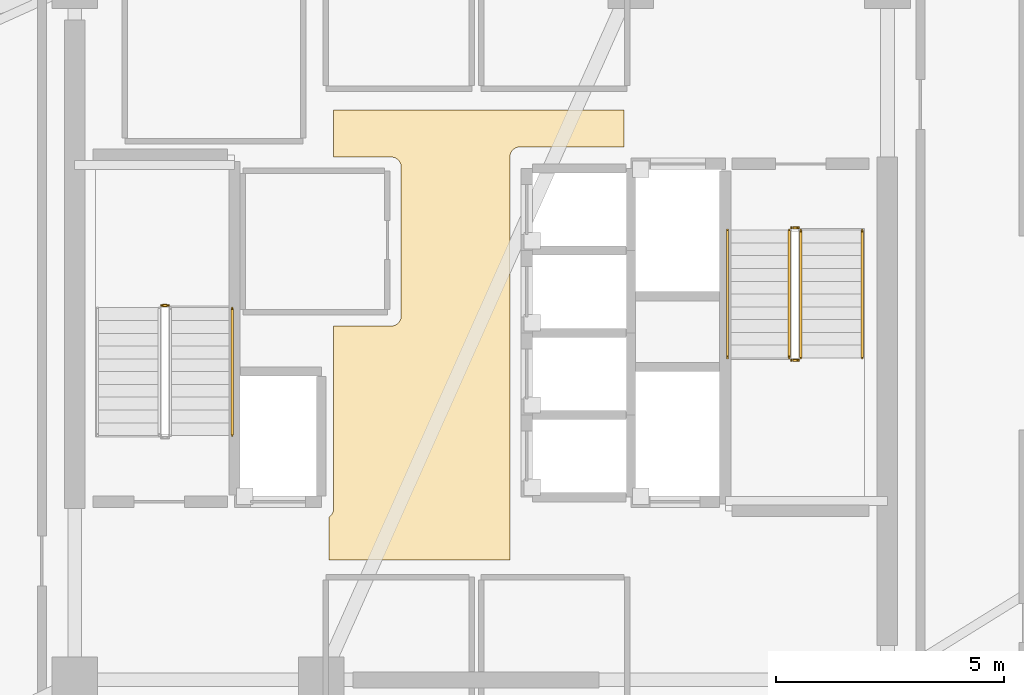
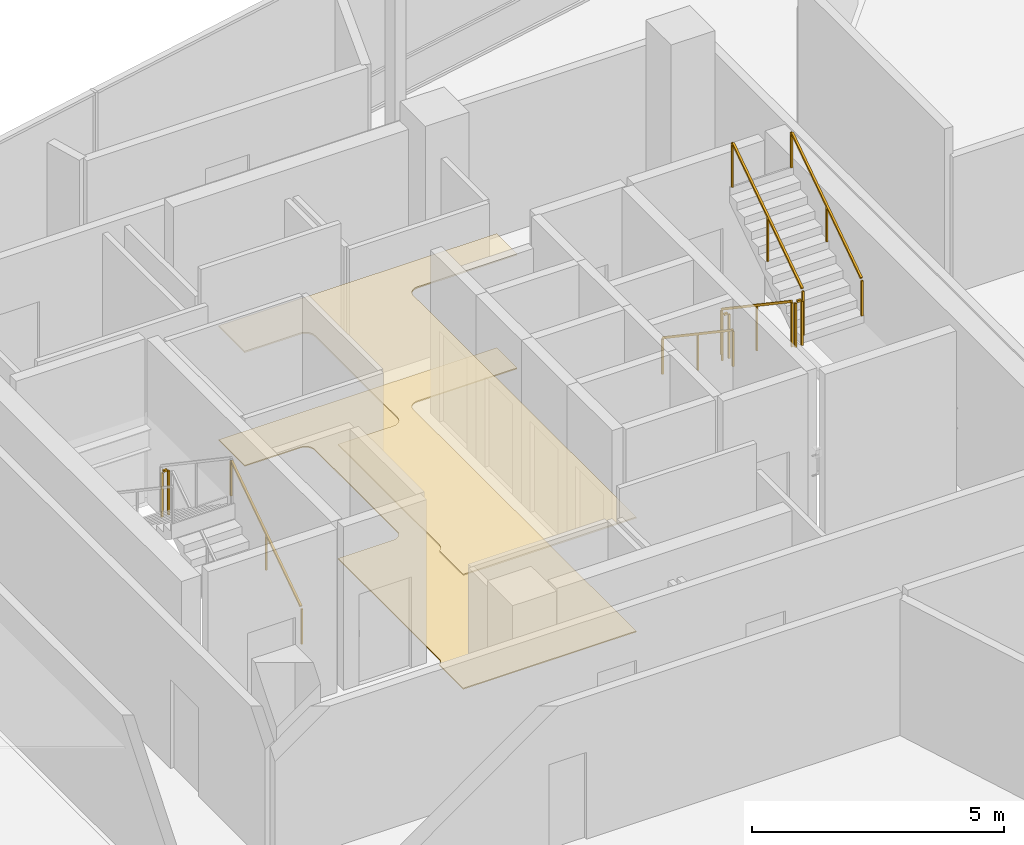
# One storey, part 15 of 16: 8 railings, 2 coverings.
"""IFC4 building model written with IfcOpenShell, lengths in metres."""

from ifc_helpers import new_model, si_unit, direction, frame, origin, origin_2d, place, context, subcontext, project, spatial, polyline, rectangle, outline, extrude, material, layer, layer_set, type_object, element, save


model = new_model("IFC4")

# Units and contexts
model_context = context("Model", 3, precision=1e-05, world=origin(), true_north=direction((0.0, 1.0)))
body_context = subcontext(model_context, "Body", "Model", "MODEL_VIEW")
ifc_project = project(units=[si_unit("LENGTHUNIT", "METRE"), si_unit("AREAUNIT", "SQUARE_METRE"), si_unit("VOLUMEUNIT", "CUBIC_METRE"), si_unit("PLANEANGLEUNIT", "RADIAN"), si_unit("MASSUNIT", "GRAM", prefix="KILO")], contexts=[model_context])

# Site, building, storey
site_placement = place(None, origin())
site = spatial("IfcSite", under=ifc_project, at=site_placement, CompositionType="ELEMENT")
building_placement = place(site_placement, origin())
building = spatial("IfcBuilding", under=site, at=building_placement, Name="Tharavind Bronze Gate", CompositionType="ELEMENT")
storey_placement = place(building_placement, frame((0.0, 0.0, 302.14990234375)))
storey = spatial("IfcBuildingStorey", under=building, at=storey_placement, Name="L78", CompositionType="ELEMENT", Elevation=302.14990234375)

# Coverings
ifc_material_1 = material(Name="Perforated Bronze Acoustic Panel", Category="bronze")
ifc_layer_1 = layer(ifc_material_1, 0.044921875)
ifc_layer_set_1 = layer_set([ifc_layer_1], Name="Perforated Bronze Acoustic Panel")
covering_type_1 = type_object("IfcCoveringType", Name="ACOUSTIC BRONZE BAFFLE CEILING", PredefinedType="CEILING", material=ifc_layer_set_1)
covering_1_placement = place(storey_placement, frame((0.0, 0.0, 2.75)))
element("IfcCovering", 1, at=covering_1_placement, inside=storey, type_object=covering_type_1, Name="L78-C-LL suspended ceiling", PredefinedType="CEILING", context=body_context, shape_type="SweptSolid", body=[
    extrude(outline(polyline([(-3.330078125, -4.97998046875), (0.6298828125, -4.97998046875), (0.6298828125, 3.85009765625), (0.631103515625, 3.87158203125), (0.63427734375, 3.892822265625), (0.639404296875, 3.913818359375), (0.646728515625, 3.93408203125), (0.656005859375, 3.95361328125), (0.6669921875, 3.97216796875), (0.679931640625, 3.989501953125), (0.6943359375, 4.005615234375), (0.71044921875, 4.02001953125), (0.727783203125, 4.032958984375), (0.746337890625, 4.0439453125), (0.765869140625, 4.05322265625), (0.7861328125, 4.060546875), (0.80712890625, 4.06591796875), (0.828369140625, 4.06884765625), (0.85009765625, 4.070068359375), (3.1298828125, 4.070068359375), (3.1298828125, 4.8798828125), (-3.22998046875, 4.8798828125), (-3.22998046875, 3.85009765625), (-1.969970703125, 3.85009765625), (-1.948486328125, 3.848876953125), (-1.927001953125, 3.845703125), (-1.906005859375, 3.840576171875), (-1.8857421875, 3.833251953125), (-1.8662109375, 3.823974609375), (-1.847900390625, 3.81298828125), (-1.830322265625, 3.800048828125), (-1.814453125, 3.78564453125), (-1.7998046875, 3.76953125), (-1.787109375, 3.752197265625), (-1.77587890625, 3.733642578125), (-1.7666015625, 3.714111328125), (-1.759521484375, 3.69384765625), (-1.754150390625, 3.6728515625), (-1.751220703125, 3.651611328125), (-1.75, 3.6298828125), (-1.75, 0.3701171875), (-1.751220703125, 0.348388671875), (-1.754150390625, 0.3271484375), (-1.759521484375, 0.30615234375), (-1.7666015625, 0.285888671875), (-1.77587890625, 0.266357421875), (-1.787109375, 0.247802734375), (-1.7998046875, 0.23046875), (-1.814453125, 0.21435546875), (-1.830322265625, 0.199951171875), (-1.847900390625, 0.18701171875), (-1.8662109375, 0.176025390625), (-1.8857421875, 0.166748046875), (-1.906005859375, 0.159423828125), (-1.927001953125, 0.154296875), (-1.948486328125, 0.151123046875), (-1.969970703125, 0.14990234375), (-3.22998046875, 0.14990234375), (-3.22998046875, -3.85009765625), (-3.231201171875, -3.87158203125), (-3.234130859375, -3.892822265625), (-3.239501953125, -3.913818359375), (-3.24658203125, -3.93408203125), (-3.256103515625, -3.95361328125), (-3.26708984375, -3.97216796875), (-3.27978515625, -3.989501953125), (-3.29443359375, -4.005615234375), (-3.310302734375, -4.02001953125), (-3.327880859375, -4.032958984375), (-3.330078125, -4.0341796875), (-3.330078125, -4.97998046875)])), origin(), (0.0, 0.0, 1.0), 0.03515625),
])
ifc_material_2 = material(Name="Honed Travertine Limestone", Category="masonry")
ifc_layer_2 = layer(ifc_material_2, 0.030029296875)
ifc_layer_set_2 = layer_set([ifc_layer_2], Name="Honed Travertine Limestone")
covering_type_2 = type_object("IfcCoveringType", Name="HONED LIMESTONE FLOORING", PredefinedType="FLOORING", material=ifc_layer_set_2)
covering_2_placement = place(storey_placement, origin())
element("IfcCovering", 2, at=covering_2_placement, inside=storey, type_object=covering_type_2, Name="L78-C-LL floor finish", PredefinedType="FLOORING", context=body_context, shape_type="SweptSolid", body=[
    extrude(outline(polyline([(-3.330078125, -4.97998046875), (0.6298828125, -4.97998046875), (0.6298828125, 3.85009765625), (0.631103515625, 3.87158203125), (0.63427734375, 3.892822265625), (0.639404296875, 3.913818359375), (0.646728515625, 3.93408203125), (0.656005859375, 3.95361328125), (0.6669921875, 3.97216796875), (0.679931640625, 3.989501953125), (0.6943359375, 4.005615234375), (0.71044921875, 4.02001953125), (0.727783203125, 4.032958984375), (0.746337890625, 4.0439453125), (0.765869140625, 4.05322265625), (0.7861328125, 4.060546875), (0.80712890625, 4.06591796875), (0.828369140625, 4.06884765625), (0.85009765625, 4.070068359375), (3.1298828125, 4.070068359375), (3.1298828125, 4.8798828125), (-3.22998046875, 4.8798828125), (-3.22998046875, 3.85009765625), (-1.969970703125, 3.85009765625), (-1.948486328125, 3.848876953125), (-1.927001953125, 3.845703125), (-1.906005859375, 3.840576171875), (-1.8857421875, 3.833251953125), (-1.8662109375, 3.823974609375), (-1.847900390625, 3.81298828125), (-1.830322265625, 3.800048828125), (-1.814453125, 3.78564453125), (-1.7998046875, 3.76953125), (-1.787109375, 3.752197265625), (-1.77587890625, 3.733642578125), (-1.7666015625, 3.714111328125), (-1.759521484375, 3.69384765625), (-1.754150390625, 3.6728515625), (-1.751220703125, 3.651611328125), (-1.75, 3.6298828125), (-1.75, 0.3701171875), (-1.751220703125, 0.348388671875), (-1.754150390625, 0.3271484375), (-1.759521484375, 0.30615234375), (-1.7666015625, 0.285888671875), (-1.77587890625, 0.266357421875), (-1.787109375, 0.247802734375), (-1.7998046875, 0.23046875), (-1.814453125, 0.21435546875), (-1.830322265625, 0.199951171875), (-1.847900390625, 0.18701171875), (-1.8662109375, 0.176025390625), (-1.8857421875, 0.166748046875), (-1.906005859375, 0.159423828125), (-1.927001953125, 0.154296875), (-1.948486328125, 0.151123046875), (-1.969970703125, 0.14990234375), (-3.22998046875, 0.14990234375), (-3.22998046875, -3.85009765625), (-3.231201171875, -3.87158203125), (-3.234130859375, -3.892822265625), (-3.239501953125, -3.913818359375), (-3.24658203125, -3.93408203125), (-3.256103515625, -3.95361328125), (-3.26708984375, -3.97216796875), (-3.27978515625, -3.989501953125), (-3.29443359375, -4.005615234375), (-3.310302734375, -4.02001953125), (-3.327880859375, -4.032958984375), (-3.330078125, -4.0341796875), (-3.330078125, -4.97998046875)])), origin(), (0.0, 0.0, 1.0), 0.025146484375),
])

# Railings
ifc_material_3 = material(Name="Brushed Bronze Alloy", Category="metal")
railing_type_1 = type_object("IfcRailingType", Name="STAIR BRONZE HANDRAIL 900", PredefinedType="HANDRAIL", material=ifc_material_3)
railing_1_placement = place(storey_placement, frame((-5.449951171875, -2.25, 0.188720703125)))
element("IfcRailing", 3, at=railing_1_placement, inside=storey, type_object=railing_type_1, Name="L78 ST1 stair handrail 1", PredefinedType="HANDRAIL", context=body_context, shape_type="SweptSolid", body=[
    extrude(rectangle(XDim=0.048095703125, YDim=0.048095703125, at=origin_2d()), frame((0.0, 0.026611328125, 0.893798828125), z_axis=(0.0, 0.829337087117, 0.558748598148), x_axis=(-1.0, 0.0, 0.0)), (0.0, 0.0, 1.0), 3.312255859375),
    extrude(rectangle(XDim=0.0400390625, YDim=0.0400390625, at=origin_2d()), origin(), (0.0, 0.0, 1.0), 0.847900390625),
    extrude(rectangle(XDim=0.0400390625, YDim=0.0400390625, at=origin_2d()), frame((0.0, 1.39990234375, 0.943359375)), (0.0, 0.0, 1.0), 0.847900390625),
    extrude(rectangle(XDim=0.0400390625, YDim=0.0400390625, at=origin_2d()), frame((0.0, 2.800048828125, 1.886474609375)), (0.0, 0.0, 1.0), 0.847900390625),
])
railing_2_placement = place(storey_placement, frame((5.39990234375, 2.25, 0.188720703125)))
element("IfcRailing", 4, at=railing_2_placement, inside=storey, type_object=railing_type_1, Name="L78 ST2 stair handrail 1", PredefinedType="HANDRAIL", context=body_context, shape_type="SweptSolid", body=[
    extrude(rectangle(XDim=0.048095703125, YDim=0.048095703125, at=origin_2d()), frame((0.0, -0.026611328125, 0.893798828125), z_axis=(0.0, -0.829337087117, 0.558748598148), x_axis=(1.0, 0.0, 0.0)), (0.0, 0.0, 1.0), 3.312255859375),
    extrude(rectangle(XDim=0.0400390625, YDim=0.0400390625, at=origin_2d()), origin(), (0.0, 0.0, 1.0), 0.847900390625),
    extrude(rectangle(XDim=0.0400390625, YDim=0.0400390625, at=origin_2d()), frame((0.0, -1.39990234375, 0.943359375)), (0.0, 0.0, 1.0), 0.847900390625),
    extrude(rectangle(XDim=0.0400390625, YDim=0.0400390625, at=origin_2d()), frame((0.0, -2.800048828125, 1.886474609375)), (0.0, 0.0, 1.0), 0.847900390625),
])
railing_3_placement = place(storey_placement, frame((8.35009765625, -0.550048828125, 2.263671875)))
element("IfcRailing", 5, at=railing_3_placement, inside=storey, type_object=railing_type_1, Name="L78 ST2 stair handrail 2", PredefinedType="HANDRAIL", context=body_context, shape_type="SweptSolid", body=[
    extrude(rectangle(XDim=0.048095703125, YDim=0.048095703125, at=origin_2d()), frame((0.0, 0.026611328125, 0.893798828125), z_axis=(0.0, 0.829337087117, 0.558748598148), x_axis=(-1.0, 0.0, 0.0)), (0.0, 0.0, 1.0), 3.312255859375),
    extrude(rectangle(XDim=0.0400390625, YDim=0.0400390625, at=origin_2d()), origin(), (0.0, 0.0, 1.0), 0.847900390625),
    extrude(rectangle(XDim=0.0400390625, YDim=0.0400390625, at=origin_2d()), frame((0.0, 1.39990234375, 0.943359375)), (0.0, 0.0, 1.0), 0.847900390625),
    extrude(rectangle(XDim=0.0400390625, YDim=0.0400390625, at=origin_2d()), frame((0.0, 2.800048828125, 1.886474609375)), (0.0, 0.0, 1.0), 0.847900390625),
])
railing_type_2 = type_object("IfcRailingType", Name="STAIR WELL GUARD RAILING 1120", PredefinedType="GUARDRAIL", material=ifc_material_3)
railing_4_placement = place(storey_placement, frame((-6.85009765625, 0.60009765625, 2.0751953125)))
element("IfcRailing", 6, at=railing_4_placement, inside=storey, type_object=railing_type_2, Name="L78 ST1 stair guard 2", PredefinedType="GUARDRAIL", context=body_context, shape_type="SweptSolid", body=[
    extrude(rectangle(XDim=0.048095703125, YDim=0.048095703125, at=origin_2d()), frame((-0.031982421875, 0.0, 1.09619140625), z_axis=(-1.0, 0.0, 0.0), x_axis=(0.0, -1.0, 0.0)), (0.0, 0.0, 1.0), 0.0859375),
    extrude(rectangle(XDim=0.0400390625, YDim=0.0400390625, at=origin_2d()), origin(), (0.0, 0.0, 1.0), 1.068115234375),
    extrude(rectangle(XDim=0.0400390625, YDim=0.0400390625, at=origin_2d()), frame((-0.14990234375, 0.0, 0.0)), (0.0, 0.0, 1.0), 1.068115234375),
])
railing_5_placement = place(storey_placement, frame((6.75, 2.25, 0.188720703125)))
element("IfcRailing", 7, at=railing_5_placement, inside=storey, type_object=railing_type_2, Name="L78 ST2 stair guard 1", PredefinedType="GUARDRAIL", context=body_context, shape_type="SweptSolid", body=[
    extrude(rectangle(XDim=0.048095703125, YDim=0.048095703125, at=origin_2d()), frame((0.0, -0.026611328125, 1.114013671875), z_axis=(0.0, -0.829337087117, 0.558748598148), x_axis=(1.0, 0.0, 0.0)), (0.0, 0.0, 1.0), 3.312255859375),
    extrude(rectangle(XDim=0.0400390625, YDim=0.0400390625, at=origin_2d()), origin(), (0.0, 0.0, 1.0), 1.068115234375),
    extrude(rectangle(XDim=0.0400390625, YDim=0.0400390625, at=origin_2d()), frame((0.0, -1.39990234375, 0.943359375)), (0.0, 0.0, 1.0), 1.068115234375),
    extrude(rectangle(XDim=0.0400390625, YDim=0.0400390625, at=origin_2d()), frame((0.0, -2.800048828125, 1.886474609375)), (0.0, 0.0, 1.0), 1.068115234375),
])
railing_6_placement = place(storey_placement, frame((6.800048828125, -0.60009765625, 2.0751953125)))
element("IfcRailing", 8, at=railing_6_placement, inside=storey, type_object=railing_type_2, Name="L78 ST2 stair guard 2", PredefinedType="GUARDRAIL", context=body_context, shape_type="SweptSolid", body=[
    extrude(rectangle(XDim=0.048095703125, YDim=0.048095703125, at=origin_2d()), frame((0.031982421875, 0.0, 1.09619140625), z_axis=(1.0, 0.0, 0.0), x_axis=(0.0, 1.0, 0.0)), (0.0, 0.0, 1.0), 0.0859375),
    extrude(rectangle(XDim=0.0400390625, YDim=0.0400390625, at=origin_2d()), origin(), (0.0, 0.0, 1.0), 1.068115234375),
    extrude(rectangle(XDim=0.0400390625, YDim=0.0400390625, at=origin_2d()), frame((0.14990234375, 0.0, 0.0)), (0.0, 0.0, 1.0), 1.068115234375),
])
railing_7_placement = place(storey_placement, frame((7.0, -0.550048828125, 2.263671875)))
element("IfcRailing", 9, at=railing_7_placement, inside=storey, type_object=railing_type_2, Name="L78 ST2 stair guard 3", PredefinedType="GUARDRAIL", context=body_context, shape_type="SweptSolid", body=[
    extrude(rectangle(XDim=0.048095703125, YDim=0.048095703125, at=origin_2d()), frame((0.0, 0.026611328125, 1.114013671875), z_axis=(0.0, 0.829337087117, 0.558748598148), x_axis=(-1.0, 0.0, 0.0)), (0.0, 0.0, 1.0), 3.312255859375),
    extrude(rectangle(XDim=0.0400390625, YDim=0.0400390625, at=origin_2d()), origin(), (0.0, 0.0, 1.0), 1.068115234375),
    extrude(rectangle(XDim=0.0400390625, YDim=0.0400390625, at=origin_2d()), frame((0.0, 1.39990234375, 0.943359375)), (0.0, 0.0, 1.0), 1.068115234375),
    extrude(rectangle(XDim=0.0400390625, YDim=0.0400390625, at=origin_2d()), frame((0.0, 2.800048828125, 1.886474609375)), (0.0, 0.0, 1.0), 1.068115234375),
])
railing_8_placement = place(storey_placement, frame((6.800048828125, 2.300048828125, 0.0)))
element("IfcRailing", 10, at=railing_8_placement, inside=storey, type_object=railing_type_2, Name="L78 ST2 stair guard 4", PredefinedType="GUARDRAIL", context=body_context, shape_type="SweptSolid", body=[
    extrude(rectangle(XDim=0.048095703125, YDim=0.048095703125, at=origin_2d()), frame((0.031982421875, 0.0, 1.09619140625), z_axis=(1.0, 0.0, 0.0), x_axis=(0.0, 1.0, 0.0)), (0.0, 0.0, 1.0), 0.0859375),
    extrude(rectangle(XDim=0.0400390625, YDim=0.0400390625, at=origin_2d()), origin(), (0.0, 0.0, 1.0), 1.068115234375),
    extrude(rectangle(XDim=0.0400390625, YDim=0.0400390625, at=origin_2d()), frame((0.14990234375, 0.0, 0.0)), (0.0, 0.0, 1.0), 1.068115234375),
])

save(model, "model.ifc")
